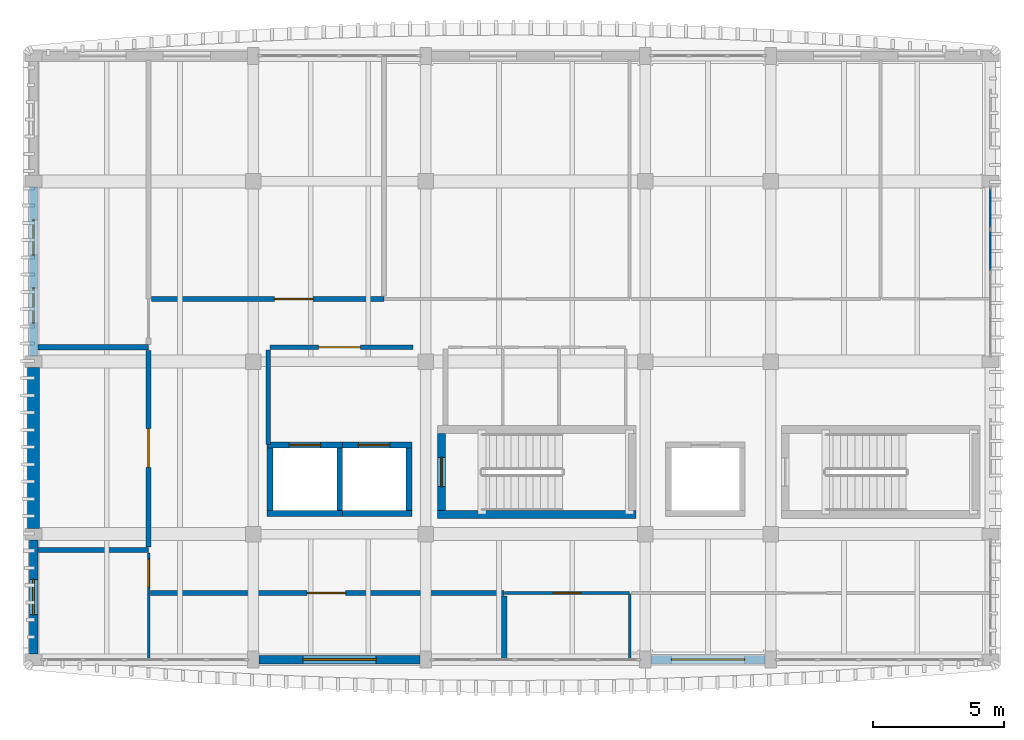
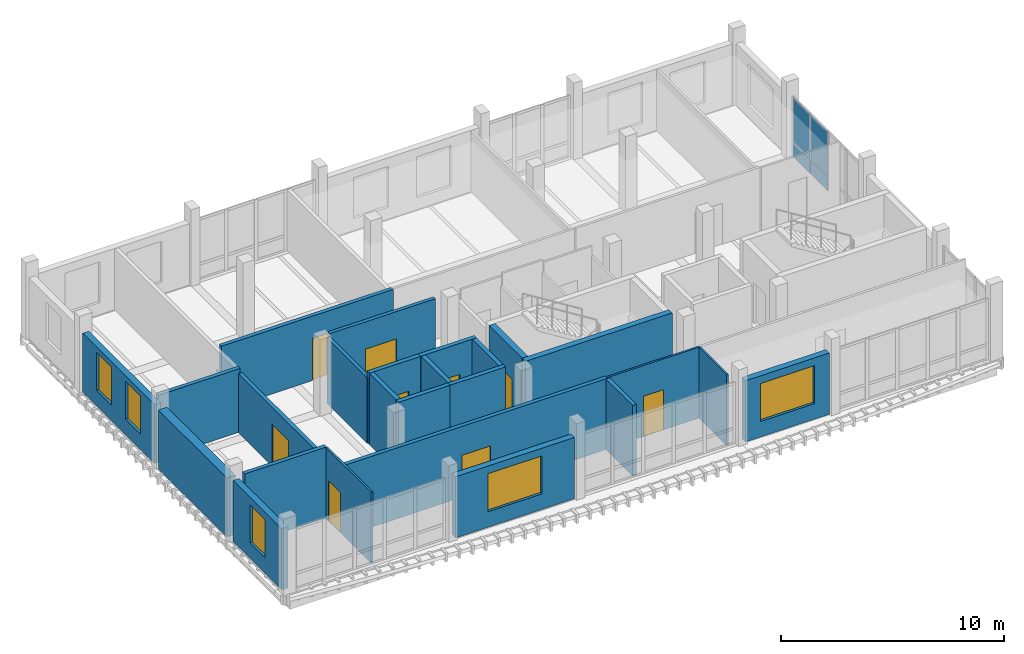
# One storey, part 7 of 16: 25 walls, 9 doors, 5 windows, 4 plates, 14 openings, 1 element without a shape of its own.
"""IFC4 building model written with IfcOpenShell, lengths in metres."""

from ifc_helpers import new_model, si_unit, direction, frame, frame_2d, origin, origin_2d, place, context, subcontext, project, spatial, rectangle, extrude, material, layer, layer_set, type_object, element, fill, aggregate, save


model = new_model("IFC4")

# Units and contexts
model_context = context("Model", 3, precision=1e-05, world=origin(), true_north=direction((0.0, 1.0)))
body_context = subcontext(model_context, "Body", "Model", "MODEL_VIEW")
ifc_project = project(units=[si_unit("LENGTHUNIT", "METRE"), si_unit("AREAUNIT", "SQUARE_METRE"), si_unit("VOLUMEUNIT", "CUBIC_METRE"), si_unit("PLANEANGLEUNIT", "RADIAN"), si_unit("MASSUNIT", "GRAM", prefix="KILO")], contexts=[model_context])

# Site, building, storey
site_placement = place(None, origin())
site = spatial("IfcSite", under=ifc_project, at=site_placement, CompositionType="ELEMENT")
building_placement = place(site_placement, origin())
building = spatial("IfcBuilding", under=site, at=building_placement, Name="Dornvale Research Institute", CompositionType="ELEMENT")
storey_placement = place(building_placement, frame((0.0, 0.0, 42.60009765625)))
storey = spatial("IfcBuildingStorey", under=building, at=storey_placement, Name="L09", CompositionType="ELEMENT", Elevation=42.60009765625)

# Curtain wall, plates
ifc_material_1 = material(Name="Low-E Argon Double Insulating Glazing Unit", Category="glass")
curtain_wall_type = type_object("IfcCurtainWallType", Name="UnitisedCurtainWall_V5_6450x3350", PredefinedType="USERDEFINED", material=ifc_material_1)
curtain_wall_placement = place(storey_placement, origin())
curtain_wall = element("IfcCurtainWall", 1, at=curtain_wall_placement, inside=storey, type_object=curtain_wall_type, Name="L09 V5 unitised curtain wall CW-36 #197", ObjectType="UNITISED CURTAIN WALL", PredefinedType="USERDEFINED")
ifc_material_2 = material(Name="Insulated Ceramic-Frit Spandrel Glass Panel", Category="glass")
ifc_layer_1 = layer(ifc_material_2, 0.0419921875)
ifc_layer_set_1 = layer_set([ifc_layer_1], Name="Insulated Ceramic-Frit Spandrel Glass Panel")
plate_type_1 = type_object("IfcPlateType", Name="CurtainPanel_Spandrel_42", PredefinedType="CURTAIN_PANEL", material=ifc_layer_set_1)
plate_1_placement = place(storey_placement, frame((41.39990234375, 116.25244140625, 0.06494140625), z_axis=(0.0, 0.0, 1.0), x_axis=(0.0, -1.0, 0.0)))
plate_1 = element("IfcPlate", 2, at=plate_1_placement, type_object=plate_type_1, Name="CW-36 panel 1.1", PredefinedType="CURTAIN_PANEL", context=body_context, shape_type="SweptSolid", body=[
    extrude(rectangle(XDim=1.514892578125, YDim=0.0419921875, at=origin_2d()), origin(), (0.0, 0.0, 1.0), 0.75244140625),
])
plate_2_placement = place(storey_placement, frame((41.39990234375, 114.65625, 0.06494140625), z_axis=(0.0, 0.0, 1.0), x_axis=(0.0, -1.0, 0.0)))
plate_2 = element("IfcPlate", 3, at=plate_2_placement, type_object=plate_type_1, Name="CW-36 panel 2.1", PredefinedType="CURTAIN_PANEL", context=body_context, shape_type="SweptSolid", body=[
    extrude(rectangle(XDim=1.547607421875, YDim=0.0419921875, at=origin_2d()), origin(), (0.0, 0.0, 1.0), 0.75244140625),
])
ifc_material_3 = material(Name="Low-E Argon Double Insulating Glazing Unit", Category="glass")
ifc_layer_2 = layer(ifc_material_3, 0.028076171875)
ifc_layer_set_2 = layer_set([ifc_layer_2], Name="Low-E Argon Double Insulating Glazing Unit")
plate_type_2 = type_object("IfcPlateType", Name="CurtainPanel_Vision_28", PredefinedType="CURTAIN_PANEL", material=ifc_layer_set_2)
plate_3_placement = place(storey_placement, frame((41.39990234375, 116.25244140625, 0.88232421875), z_axis=(0.0, 0.0, 1.0), x_axis=(0.0, -1.0, 0.0)))
plate_3 = element("IfcPlate", 4, at=plate_3_placement, type_object=plate_type_2, Name="CW-36 panel 1.2", PredefinedType="CURTAIN_PANEL", context=body_context, shape_type="SweptSolid", body=[
    extrude(rectangle(XDim=1.514892578125, YDim=0.028076171875, at=origin_2d()), origin(), (0.0, 0.0, 1.0), 2.402587890625),
])
plate_4_placement = place(storey_placement, frame((41.39990234375, 114.65625, 0.88232421875), z_axis=(0.0, 0.0, 1.0), x_axis=(0.0, -1.0, 0.0)))
plate_4 = element("IfcPlate", 5, at=plate_4_placement, type_object=plate_type_2, Name="CW-36 panel 2.2", PredefinedType="CURTAIN_PANEL", context=body_context, shape_type="SweptSolid", body=[
    extrude(rectangle(XDim=1.547607421875, YDim=0.028076171875, at=origin_2d()), origin(), (0.0, 0.0, 1.0), 2.402587890625),
])
aggregate(curtain_wall, [plate_1, plate_3, plate_2, plate_4])

# Wall, opening, door
ifc_material_4 = material(Name="Fire-Rated Gypsum Board on Cold-Formed Steel Studs", Category="steel")
ifc_layer_3 = layer(ifc_material_4, 0.179931640625)
ifc_layer_set_3 = layer_set([ifc_layer_3], Name="Fire-Rated Gypsum Board on Cold-Formed Steel Studs")
wall_type_1 = type_object("IfcWallType", Name="Partition_FireLobby_180", PredefinedType="PARTITIONING", material=ifc_layer_set_3)
wall_1_placement = place(storey_placement, frame((13.85009765625, 110.949951171875, 0.0), z_axis=(0.0, 0.0, 1.0), x_axis=(1.0, 0.0, 0.0)))
wall_1 = element("IfcWall", 6, at=wall_1_placement, inside=storey, type_object=wall_type_1, Name="L09 Fire Service Access Elevator Lobby north rated partition", PredefinedType="PARTITIONING", context=body_context, shape_type="SweptSolid", body=[
    extrude(rectangle(XDim=5.469970703125, YDim=0.179931640625, at=frame_2d((2.73486328125, 0.0))), origin(), (0.0, 0.0, 1.0), 3.744873046875),
])
opening_1_placement = place(wall_1_placement, frame((1.85009765625, 0.0, 0.0)))
opening_1 = element("IfcOpeningElement", 7, at=opening_1_placement, cuts=wall_1, Name="Opening FD-01", PredefinedType="OPENING", context=body_context, shape_type="SweptSolid", body=[
    extrude(rectangle(XDim=1.60009765625, YDim=2.25, at=frame_2d((0.800048828125, 1.125))), frame((0.0, 0.10498046875, 0.0), z_axis=(0.0, -1.0, 0.0), x_axis=(1.0, 0.0, 0.0)), (0.0, 0.0, 1.0), 0.2099609375),
])
ifc_material_5 = material(Name="Insulated Fire-Rated Hollow Metal Door Assembly")
door_type_1 = type_object("IfcDoorType", Name="Door_FireLobby_1600x2250", OperationType="SINGLE_SWING_LEFT", PredefinedType="DOOR", material=ifc_material_5)
door_1_placement = place(opening_1_placement, origin())
door_1 = element("IfcDoor", 8, at=door_1_placement, inside=storey, type_object=door_type_1, Name="L09 Fire Service Access Elevator Lobby door", OperationType="DOUBLE_DOOR_SINGLE_SWING", OverallHeight=2.25, OverallWidth=1.60009765625, PredefinedType="DOOR", context=body_context, shape_type="SweptSolid", body=[
    extrude(rectangle(XDim=1.60009765625, YDim=2.25, at=frame_2d((0.800048828125, 1.125))), frame((0.0, 0.02490234375, 0.0), z_axis=(0.0, -1.0, 0.0), x_axis=(1.0, 0.0, 0.0)), (0.0, 0.0, 1.0), 0.050048828125),
])
fill(opening_1, door_1)

# Walls
wall_2_placement = place(storey_placement, frame((13.780029296875, 107.22998046875, 0.0), z_axis=(0.0, 0.0, 1.0), x_axis=(0.0, 1.0, 0.0)))
element("IfcWall", 9, at=wall_2_placement, inside=storey, type_object=wall_type_1, Name="L09 Fire Service Access Elevator Lobby west rated partition", PredefinedType="PARTITIONING", context=body_context, shape_type="SweptSolid", body=[
    extrude(rectangle(XDim=3.610107421875, YDim=0.179931640625, at=frame_2d((1.80517578125, 0.0))), origin(), (0.0, 0.0, 1.0), 3.579833984375),
])
ifc_material_6 = material(Name="Fire-Rated Gypsum Board on Cold-Formed Steel Studs", Category="steel")
ifc_layer_4 = layer(ifc_material_6, 0.199951171875)
ifc_layer_set_4 = layer_set([ifc_layer_4], Name="Fire-Rated Gypsum Board on Cold-Formed Steel Studs")
wall_type_2 = type_object("IfcWallType", Name="Partition_FireWall_200", PredefinedType="PARTITIONING", material=ifc_layer_set_4)
wall_3_placement = place(storey_placement, frame((4.97509765625, 103.199951171875, 0.0), z_axis=(0.0, 0.0, 1.0), x_axis=(1.0, 0.0, 0.0)))
element("IfcWall", 10, at=wall_3_placement, inside=storey, type_object=wall_type_2, Name="L09 V5 interior partition #588", PredefinedType="PARTITIONING", context=body_context, shape_type="SweptSolid", body=[
    extrude(rectangle(XDim=4.224853515625, YDim=0.199951171875, at=frame_2d((2.1123046875, 0.0))), origin(), (0.0, 0.0, 1.0), 3.8798828125),
])
wall_4_placement = place(storey_placement, frame((4.97509765625, 110.949951171875, 0.0), z_axis=(0.0, 0.0, 1.0), x_axis=(1.0, 0.0, 0.0)))
element("IfcWall", 11, at=wall_4_placement, inside=storey, type_object=wall_type_2, Name="L09 V5 interior partition #589", PredefinedType="PARTITIONING", context=body_context, shape_type="SweptSolid", body=[
    extrude(rectangle(XDim=4.224853515625, YDim=0.199951171875, at=frame_2d((2.1123046875, 0.0))), origin(), (0.0, 0.0, 1.0), 3.47998046875),
])

# Wall, opening, door
wall_5_placement = place(storey_placement, frame((9.199951171875, 103.31494140625, 0.0), z_axis=(0.0, 0.0, 1.0), x_axis=(0.0, 1.0, 0.0)))
wall_5 = element("IfcWall", 12, at=wall_5_placement, inside=storey, type_object=wall_type_2, Name="L09 V5 interior partition #590", PredefinedType="PARTITIONING", context=body_context, shape_type="SweptSolid", body=[
    extrude(rectangle(XDim=7.52001953125, YDim=0.199951171875, at=frame_2d((3.760009765625, 0.0))), origin(), (0.0, 0.0, 1.0), 3.22998046875),
])
opening_2_placement = place(wall_5_placement, frame((3.044921875, 0.0, 0.0)))
opening_2 = element("IfcOpeningElement", 13, at=opening_2_placement, cuts=wall_5, Name="Opening ID-13", PredefinedType="OPENING", context=body_context, shape_type="SweptSolid", body=[
    extrude(rectangle(XDim=1.47998046875, YDim=2.300048828125, at=frame_2d((0.739990234375, 1.14990234375))), frame((0.0, 0.114990234375, 0.0), z_axis=(0.0, -1.0, 0.0), x_axis=(1.0, 0.0, 0.0)), (0.0, 0.0, 1.0), 0.22998046875),
])
ifc_material_7 = material(Name="Insulated Fire-Rated Hollow Metal Door Assembly")
door_type_2 = type_object("IfcDoorType", Name="Door_Archive_1480x2300", OperationType="SINGLE_SWING_LEFT", PredefinedType="DOOR", material=ifc_material_7)
door_2_placement = place(opening_2_placement, origin())
door_2 = element("IfcDoor", 14, at=door_2_placement, inside=storey, type_object=door_type_2, Name="L09 Rare Manuscript Vault L09 door #249", OperationType="SINGLE_SWING_RIGHT", OverallHeight=2.300048828125, OverallWidth=1.47998046875, PredefinedType="DOOR", context=body_context, shape_type="SweptSolid", body=[
    extrude(rectangle(XDim=1.47998046875, YDim=2.300048828125, at=frame_2d((0.739990234375, 1.14990234375))), frame((0.0, 0.02490234375, 0.0), z_axis=(0.0, -1.0, 0.0), x_axis=(1.0, 0.0, 0.0)), (0.0, 0.0, 1.0), 0.050048828125),
])
fill(opening_2, door_2)

wall_6_placement = place(storey_placement, frame((9.31494140625, 112.800048828125, 0.0), z_axis=(0.0, 0.0, 1.0), x_axis=(1.0, 0.0, 0.0)))
wall_6 = element("IfcWall", 15, at=wall_6_placement, inside=storey, type_object=wall_type_2, Name="L09 V5 interior partition #592", PredefinedType="PARTITIONING", context=body_context, shape_type="SweptSolid", body=[
    extrude(rectangle(XDim=8.885009765625, YDim=0.199951171875, at=frame_2d((4.4423828125, 0.0))), origin(), (0.0, 0.0, 1.0), 3.52978515625),
])
opening_3_placement = place(wall_6_placement, frame((4.695068359375, 0.0, 0.0)))
opening_3 = element("IfcOpeningElement", 16, at=opening_3_placement, cuts=wall_6, Name="Opening ID-13", PredefinedType="OPENING", context=body_context, shape_type="SweptSolid", body=[
    extrude(rectangle(XDim=1.47998046875, YDim=2.300048828125, at=frame_2d((0.739990234375, 1.14990234375))), frame((0.0, 0.114990234375, 0.0), z_axis=(0.0, -1.0, 0.0), x_axis=(1.0, 0.0, 0.0)), (0.0, 0.0, 1.0), 0.22998046875),
])
door_3_placement = place(opening_3_placement, origin())
door_3 = element("IfcDoor", 17, at=door_3_placement, inside=storey, type_object=door_type_2, Name="L09 Scientific Archive Stack Room door #251", OperationType="SINGLE_SWING_RIGHT", OverallHeight=2.300048828125, OverallWidth=1.47998046875, PredefinedType="DOOR", context=body_context, shape_type="SweptSolid", body=[
    extrude(rectangle(XDim=1.47998046875, YDim=2.300048828125, at=frame_2d((0.739990234375, 1.14990234375))), frame((0.0, 0.02490234375, 0.0), z_axis=(0.0, -1.0, 0.0), x_axis=(1.0, 0.0, 0.0)), (0.0, 0.0, 1.0), 0.050048828125),
])
fill(opening_3, door_3)

wall_7_placement = place(storey_placement, frame((9.264892578125, 101.550048828125, 0.0), z_axis=(0.0, 0.0, 1.0), x_axis=(1.0, 0.0, 0.0)))
wall_7 = element("IfcWall", 18, at=wall_7_placement, inside=storey, type_object=wall_type_2, Name="L09 V5 interior partition #600", PredefinedType="PARTITIONING", context=body_context, shape_type="SweptSolid", body=[
    extrude(rectangle(XDim=13.53515625, YDim=0.199951171875, at=frame_2d((6.767578125, 0.0))), origin(), (0.0, 0.0, 1.0), 3.8798828125),
])
opening_4_placement = place(wall_7_placement, frame((5.9951171875, 0.0, 0.0)))
opening_4 = element("IfcOpeningElement", 19, at=opening_4_placement, cuts=wall_7, Name="Opening ID-13", PredefinedType="OPENING", context=body_context, shape_type="SweptSolid", body=[
    extrude(rectangle(XDim=1.47998046875, YDim=2.300048828125, at=frame_2d((0.739990234375, 1.14990234375))), frame((0.0, 0.114990234375, 0.0), z_axis=(0.0, -1.0, 0.0), x_axis=(1.0, 0.0, 0.0)), (0.0, 0.0, 1.0), 0.22998046875),
])
door_4_placement = place(opening_4_placement, origin())
door_4 = element("IfcDoor", 20, at=door_4_placement, inside=storey, type_object=door_type_2, Name="L09 Rare Scientific Periodicals Stack Room door #256", OperationType="SINGLE_SWING_LEFT", OverallHeight=2.300048828125, OverallWidth=1.47998046875, PredefinedType="DOOR", context=body_context, shape_type="SweptSolid", body=[
    extrude(rectangle(XDim=1.47998046875, YDim=2.300048828125, at=frame_2d((0.739990234375, 1.14990234375))), frame((0.0, 0.02490234375, 0.0), z_axis=(0.0, -1.0, 0.0), x_axis=(1.0, 0.0, 0.0)), (0.0, 0.0, 1.0), 0.050048828125),
])
fill(opening_4, door_4)

# Wall
wall_8_placement = place(storey_placement, frame((22.800048828125, 99.0400390625, 0.0), z_axis=(0.0, 0.0, 1.0), x_axis=(0.0, 1.0, 0.0)))
element("IfcWall", 21, at=wall_8_placement, inside=storey, type_object=wall_type_2, Name="L09 V5 interior partition #601", PredefinedType="PARTITIONING", context=body_context, shape_type="SweptSolid", body=[
    extrude(rectangle(XDim=2.39501953125, YDim=0.199951171875, at=frame_2d((1.197509765625, 0.0))), origin(), (0.0, 0.0, 1.0), 3.8798828125),
])

# Wall, opening, door
ifc_material_8 = material(Name="Acoustic Insulated Double-Stud Laboratory Partition")
ifc_layer_5 = layer(ifc_material_8, 0.10009765625)
ifc_layer_set_5 = layer_set([ifc_layer_5], Name="Acoustic Insulated Double-Stud Laboratory Partition")
wall_type_3 = type_object("IfcWallType", Name="Partition_Office_100", PredefinedType="PARTITIONING", material=ifc_layer_set_5)
wall_9_placement = place(storey_placement, frame((9.199951171875, 99.0400390625, 0.0), z_axis=(0.0, 0.0, 1.0), x_axis=(0.0, 1.0, 0.0)))
wall_9 = element("IfcWall", 22, at=wall_9_placement, inside=storey, type_object=wall_type_3, Name="L09 V5 interior partition #599", PredefinedType="PARTITIONING", context=body_context, shape_type="SweptSolid", body=[
    extrude(rectangle(XDim=4.044921875, YDim=0.10009765625, at=frame_2d((2.0224609375, 0.0))), origin(), (0.0, 0.0, 1.0), 3.8798828125),
])
opening_5_placement = place(wall_9_placement, frame((2.735107421875, 0.0, 0.0)))
opening_5 = element("IfcOpeningElement", 23, at=opening_5_placement, cuts=wall_9, Name="Opening ID-19", PredefinedType="OPENING", context=body_context, shape_type="SweptSolid", body=[
    extrude(rectangle(XDim=1.06005859375, YDim=2.199951171875, at=frame_2d((0.530029296875, 1.10009765625))), frame((0.0, 0.06494140625, 0.0), z_axis=(0.0, -1.0, 0.0), x_axis=(1.0, 0.0, 0.0)), (0.0, 0.0, 1.0), 0.130126953125),
])
ifc_material_9 = material(Name="Phenolic-Faced Solid-Core Laboratory Door Assembly")
door_type_3 = type_object("IfcDoorType", Name="Door_WriteUp_1060x2200", OperationType="SINGLE_SWING_LEFT", PredefinedType="DOOR", material=ifc_material_9)
door_5_placement = place(opening_5_placement, origin())
door_5 = element("IfcDoor", 24, at=door_5_placement, inside=storey, type_object=door_type_3, Name="L09 Research Instrument Study L09 door #255", OperationType="SINGLE_SWING_RIGHT", OverallHeight=2.199951171875, OverallWidth=1.06005859375, PredefinedType="DOOR", context=body_context, shape_type="SweptSolid", body=[
    extrude(rectangle(XDim=1.06005859375, YDim=2.199951171875, at=frame_2d((0.530029296875, 1.10009765625))), frame((0.0, 0.02490234375, 0.0), z_axis=(0.0, -1.0, 0.0), x_axis=(1.0, 0.0, 0.0)), (0.0, 0.0, 1.0), 0.050048828125),
])
fill(opening_5, door_5)

wall_10_placement = place(storey_placement, frame((22.81494140625, 101.550048828125, 0.0), z_axis=(0.0, 0.0, 1.0), x_axis=(1.0, 0.0, 0.0)))
wall_10 = element("IfcWall", 25, at=wall_10_placement, inside=storey, type_object=wall_type_3, Name="L09 V5 interior partition #602", PredefinedType="PARTITIONING", context=body_context, shape_type="SweptSolid", body=[
    extrude(rectangle(XDim=4.78515625, YDim=0.10009765625, at=frame_2d((2.392578125, 0.0))), origin(), (0.0, 0.0, 1.0), 3.8798828125),
])
opening_6_placement = place(wall_10_placement, frame((1.85498046875, 0.0, 0.0)))
opening_6 = element("IfcOpeningElement", 26, at=opening_6_placement, cuts=wall_10, Name="Opening ID-19", PredefinedType="OPENING", context=body_context, shape_type="SweptSolid", body=[
    extrude(rectangle(XDim=1.06005859375, YDim=2.199951171875, at=frame_2d((0.530029296875, 1.10009765625))), frame((0.0, 0.06494140625, 0.0), z_axis=(0.0, -1.0, 0.0), x_axis=(1.0, 0.0, 0.0)), (0.0, 0.0, 1.0), 0.130126953125),
])
door_6_placement = place(opening_6_placement, origin())
door_6 = element("IfcDoor", 27, at=door_6_placement, inside=storey, type_object=door_type_3, Name="L09 Digital Cataloguing Write-Up Studio door #257", OperationType="SINGLE_SWING_RIGHT", OverallHeight=2.199951171875, OverallWidth=1.06005859375, PredefinedType="DOOR", context=body_context, shape_type="SweptSolid", body=[
    extrude(rectangle(XDim=1.06005859375, YDim=2.199951171875, at=frame_2d((0.530029296875, 1.10009765625))), frame((0.0, 0.02490234375, 0.0), z_axis=(0.0, -1.0, 0.0), x_axis=(1.0, 0.0, 0.0)), (0.0, 0.0, 1.0), 0.050048828125),
])
fill(opening_6, door_6)

# Walls
wall_11_placement = place(storey_placement, frame((27.60009765625, 99.0400390625, 0.0), z_axis=(0.0, 0.0, 1.0), x_axis=(0.0, 1.0, 0.0)))
element("IfcWall", 28, at=wall_11_placement, inside=storey, type_object=wall_type_3, Name="L09 V5 interior partition #603", PredefinedType="PARTITIONING", context=body_context, shape_type="SweptSolid", body=[
    extrude(rectangle(XDim=2.445068359375, YDim=0.10009765625, at=frame_2d((1.22265625, 0.0))), origin(), (0.0, 0.0, 1.0), 3.8798828125),
])
ifc_material_10 = material(Name="Concrete f'c 50 MPa (C40/50)", Category="concrete")
ifc_layer_6 = layer(ifc_material_10, 0.300048828125)
ifc_layer_set_6 = layer_set([ifc_layer_6], Name="Concrete f'c 50 MPa (C40/50)")
wall_type_4 = type_object("IfcWallType", Name="ShearWall_Core_300", PredefinedType="SHEAR", material=ifc_layer_set_6)
wall_12_placement = place(storey_placement, frame((20.25, 104.550048828125, 0.0), z_axis=(0.0, 0.0, 1.0), x_axis=(1.0, 0.0, 0.0)))
element("IfcWall", 29, at=wall_12_placement, inside=storey, type_object=wall_type_4, Name="L09 ST-1 shaft shear wall south", PredefinedType="SHEAR", context=body_context, shape_type="SweptSolid", body=[
    extrude(rectangle(XDim=7.60009765625, YDim=0.300048828125, at=frame_2d((3.800048828125, 0.0))), origin(), (0.0, 0.0, 1.0), 3.89990234375),
])

# Wall, opening, door
wall_13_placement = place(storey_placement, frame((20.39990234375, 104.699951171875, 0.0), z_axis=(0.0, 0.0, 1.0), x_axis=(0.0, 1.0, 0.0)))
wall_13 = element("IfcWall", 30, at=wall_13_placement, inside=storey, type_object=wall_type_4, Name="L09 ST-1 shaft shear wall west", PredefinedType="SHEAR", context=body_context, shape_type="SweptSolid", body=[
    extrude(rectangle(XDim=2.9599609375, YDim=0.300048828125, at=frame_2d((1.47998046875, 0.0))), origin(), (0.0, 0.0, 1.0), 3.89990234375),
])
opening_7_placement = place(wall_13_placement, frame((0.919921875, 0.0, 0.0)))
opening_7 = element("IfcOpeningElement", 31, at=opening_7_placement, cuts=wall_13, Name="Opening SD-01", PredefinedType="OPENING", context=body_context, shape_type="SweptSolid", body=[
    extrude(rectangle(XDim=1.1201171875, YDim=2.199951171875, at=frame_2d((0.56005859375, 1.10009765625))), frame((0.0, 0.1650390625, 0.0), z_axis=(0.0, -1.0, 0.0), x_axis=(1.0, 0.0, 0.0)), (0.0, 0.0, 1.0), 0.330078125),
])
ifc_material_11 = material(Name="Insulated Fire-Rated Hollow Metal Door Assembly")
door_type_4 = type_object("IfcDoorType", Name="Door_Stair_1120x2200", OperationType="SINGLE_SWING_LEFT", PredefinedType="DOOR", material=ifc_material_11)
door_7_placement = place(opening_7_placement, origin())
door_7 = element("IfcDoor", 32, at=door_7_placement, inside=storey, type_object=door_type_4, Name="L09 ST-1 exit stair door #11", OperationType="SINGLE_SWING_LEFT", OverallHeight=2.199951171875, OverallWidth=1.1201171875, PredefinedType="DOOR", context=body_context, shape_type="SweptSolid", body=[
    extrude(rectangle(XDim=1.1201171875, YDim=2.199951171875, at=frame_2d((0.56005859375, 1.10009765625))), frame((0.0, 0.02490234375, 0.0), z_axis=(0.0, -1.0, 0.0), x_axis=(1.0, 0.0, 0.0)), (0.0, 0.0, 1.0), 0.050048828125),
])
fill(opening_7, door_7)

# Wall
ifc_material_12 = material(Name="Concrete f'c 45 MPa (C35/45)", Category="concrete")
ifc_layer_7 = layer(ifc_material_12, 0.219970703125)
ifc_layer_set_7 = layer_set([ifc_layer_7], Name="Concrete f'c 45 MPa (C35/45)")
wall_type_5 = type_object("IfcWallType", Name="ShearWall_Shaft_220", PredefinedType="SHEAR", material=ifc_layer_set_7)
wall_14_placement = place(storey_placement, frame((13.72998046875, 104.590087890625, 0.0), z_axis=(0.0, 0.0, 1.0), x_axis=(1.0, 0.0, 0.0)))
element("IfcWall", 33, at=wall_14_placement, inside=storey, type_object=wall_type_5, Name="L09 FS1 elevator shaft wall south", PredefinedType="SHEAR", context=body_context, shape_type="SweptSolid", body=[
    extrude(rectangle(XDim=2.89013671875, YDim=0.219970703125, at=frame_2d((1.445068359375, 0.0))), origin(), (0.0, 0.0, 1.0), 3.89990234375),
])

# Wall, opening, door
wall_15_placement = place(storey_placement, frame((13.72998046875, 107.2099609375, 0.0), z_axis=(0.0, 0.0, 1.0), x_axis=(1.0, 0.0, 0.0)))
wall_15 = element("IfcWall", 34, at=wall_15_placement, inside=storey, type_object=wall_type_5, Name="L09 FS1 elevator shaft wall north", PredefinedType="SHEAR", context=body_context, shape_type="SweptSolid", body=[
    extrude(rectangle(XDim=2.89013671875, YDim=0.219970703125, at=frame_2d((1.445068359375, 0.0))), origin(), (0.0, 0.0, 1.0), 3.89990234375),
])
opening_8_placement = place(wall_15_placement, frame((0.844970703125, 0.0, 0.0)))
opening_8 = element("IfcOpeningElement", 35, at=opening_8_placement, cuts=wall_15, Name="Opening LD-01", PredefinedType="OPENING", context=body_context, shape_type="SweptSolid", body=[
    extrude(rectangle(XDim=1.199951171875, YDim=2.199951171875, at=frame_2d((0.60009765625, 1.10009765625))), frame((0.0, 0.125, 0.0), z_axis=(0.0, -1.0, 0.0), x_axis=(1.0, 0.0, 0.0)), (0.0, 0.0, 1.0), 0.25),
])
ifc_material_13 = material(Name="Brushed Stainless Steel Sliding Elevator Landing Door", Category="steel")
door_type_5 = type_object("IfcDoorType", Name="Door_LiftLanding_FSAE_1200x2200", OperationType="SINGLE_SWING_LEFT", PredefinedType="DOOR", material=ifc_material_13)
door_8_placement = place(opening_8_placement, origin())
door_8 = element("IfcDoor", 36, at=door_8_placement, inside=storey, type_object=door_type_5, Name="L09 FS1 sliding elevator landing door #11", OperationType="DOUBLE_DOOR_SLIDING", OverallHeight=2.199951171875, OverallWidth=1.199951171875, PredefinedType="DOOR", context=body_context, shape_type="SweptSolid", body=[
    extrude(rectangle(XDim=1.199951171875, YDim=2.199951171875, at=frame_2d((0.60009765625, 1.10009765625))), frame((0.0, 0.02490234375, 0.0), z_axis=(0.0, -1.0, 0.0), x_axis=(1.0, 0.0, 0.0)), (0.0, 0.0, 1.0), 0.050048828125),
])
fill(opening_8, door_8)

# Walls
for number, where, z_axis, x_axis, name in (
    (37, (13.840087890625, 104.699951171875, 0.0), (0.0, 0.0, 1.0), (0.0, 1.0, 0.0), "L09 FS1 elevator shaft wall west"),
    (38, (16.510009765625, 104.699951171875, 0.0), (0.0, 0.0, 1.0), (0.0, 1.0, 0.0), "L09 FS1 elevator shaft wall east"),
):
    element("IfcWall", number, at=place(storey_placement, frame(where, z_axis=z_axis, x_axis=x_axis)), inside=storey, type_object=wall_type_5, Name=name, PredefinedType="SHEAR", context=body_context, shape_type="SweptSolid", body=[
        extrude(rectangle(XDim=2.400146484375, YDim=0.219970703125, at=frame_2d((1.2001953125, 0.0))), origin(), (0.0, 0.0, 1.0), 3.89990234375),
    ])
wall_16_placement = place(storey_placement, frame((16.3798828125, 104.590087890625, 0.0), z_axis=(0.0, 0.0, 1.0), x_axis=(1.0, 0.0, 0.0)))
element("IfcWall", 39, at=wall_16_placement, inside=storey, type_object=wall_type_5, Name="L09 FS2 elevator shaft wall south", PredefinedType="SHEAR", context=body_context, shape_type="SweptSolid", body=[
    extrude(rectangle(XDim=2.89013671875, YDim=0.219970703125, at=frame_2d((1.445068359375, 0.0))), origin(), (0.0, 0.0, 1.0), 3.89990234375),
])

# Wall, opening, door
wall_17_placement = place(storey_placement, frame((16.3798828125, 107.2099609375, 0.0), z_axis=(0.0, 0.0, 1.0), x_axis=(1.0, 0.0, 0.0)))
wall_17 = element("IfcWall", 40, at=wall_17_placement, inside=storey, type_object=wall_type_5, Name="L09 FS2 elevator shaft wall north", PredefinedType="SHEAR", context=body_context, shape_type="SweptSolid", body=[
    extrude(rectangle(XDim=2.89013671875, YDim=0.219970703125, at=frame_2d((1.445068359375, 0.0))), origin(), (0.0, 0.0, 1.0), 3.89990234375),
])
opening_9_placement = place(wall_17_placement, frame((0.844970703125, 0.0, 0.0)))
opening_9 = element("IfcOpeningElement", 41, at=opening_9_placement, cuts=wall_17, Name="Opening LD-01", PredefinedType="OPENING", context=body_context, shape_type="SweptSolid", body=[
    extrude(rectangle(XDim=1.199951171875, YDim=2.199951171875, at=frame_2d((0.60009765625, 1.10009765625))), frame((0.0, 0.125, 0.0), z_axis=(0.0, -1.0, 0.0), x_axis=(1.0, 0.0, 0.0)), (0.0, 0.0, 1.0), 0.25),
])
door_9_placement = place(opening_9_placement, origin())
door_9 = element("IfcDoor", 42, at=door_9_placement, inside=storey, type_object=door_type_5, Name="L09 FS2 sliding elevator landing door #23", OperationType="DOUBLE_DOOR_SLIDING", OverallHeight=2.199951171875, OverallWidth=1.199951171875, PredefinedType="DOOR", context=body_context, shape_type="SweptSolid", body=[
    extrude(rectangle(XDim=1.199951171875, YDim=2.199951171875, at=frame_2d((0.60009765625, 1.10009765625))), frame((0.0, 0.02490234375, 0.0), z_axis=(0.0, -1.0, 0.0), x_axis=(1.0, 0.0, 0.0)), (0.0, 0.0, 1.0), 0.050048828125),
])
fill(opening_9, door_9)

# Walls
wall_18_placement = place(storey_placement, frame((19.159912109375, 104.699951171875, 0.0), z_axis=(0.0, 0.0, 1.0), x_axis=(0.0, 1.0, 0.0)))
element("IfcWall", 43, at=wall_18_placement, inside=storey, type_object=wall_type_5, Name="L09 FS2 elevator shaft wall east", PredefinedType="SHEAR", context=body_context, shape_type="SweptSolid", body=[
    extrude(rectangle(XDim=2.400146484375, YDim=0.219970703125, at=frame_2d((1.2001953125, 0.0))), origin(), (0.0, 0.0, 1.0), 3.89990234375),
])
ifc_material_14 = material(Name="Precast Concrete f'c 40 MPa (C32/40) and Glazed Terracotta Backup Wall", Category="masonry")
ifc_layer_8 = layer(ifc_material_14, 0.449951171875)
ifc_layer_set_8 = layer_set([ifc_layer_8], Name="Precast Concrete f'c 40 MPa (C32/40) and Glazed Terracotta Backup Wall")
wall_type_6 = type_object("IfcWallType", Name="SolidWall_ShearBraceBay_450", PredefinedType="SOLIDWALL", material=ifc_layer_set_8)
wall_19_placement = place(storey_placement, frame((4.800048828125, 104.02490234375, 0.0), z_axis=(0.0, 0.0, 1.0), x_axis=(0.0, 1.0, 0.0)))
element("IfcWall", 44, at=wall_19_placement, inside=storey, type_object=wall_type_6, Name="L09 V5 west exterior wall #404", PredefinedType="SOLIDWALL", context=body_context, shape_type="SweptSolid", body=[
    extrude(rectangle(XDim=6.150146484375, YDim=0.449951171875, at=frame_2d((3.0751953125, 0.0))), origin(), (0.0, 0.0, 1.0), 3.22998046875),
])

# Wall, opening, window
ifc_material_15 = material(Name="Catalan Pressed Brick and Insulated Cavity Assembly", Category="masonry")
ifc_layer_9 = layer(ifc_material_15, 0.320068359375)
ifc_layer_set_9 = layer_set([ifc_layer_9], Name="Catalan Pressed Brick and Insulated Cavity Assembly")
wall_type_7 = type_object("IfcWallType", Name="StandardWall_BrickCavity_320", PredefinedType="STANDARD", material=ifc_layer_set_9)
wall_20_placement = place(storey_placement, frame((4.800048828125, 99.22509765625, 0.0), z_axis=(0.0, 0.0, 1.0), x_axis=(0.0, 1.0, 0.0)))
wall_20 = element("IfcWall", 45, at=wall_20_placement, inside=storey, type_object=wall_type_7, Name="L09 V5 west exterior wall #403", PredefinedType="STANDARD", context=body_context, shape_type="SweptSolid", body=[
    extrude(rectangle(XDim=4.349853515625, YDim=0.320068359375, at=frame_2d((2.1748046875, 0.0))), origin(), (0.0, 0.0, 1.0), 3.349853515625),
])
opening_10_placement = place(wall_20_placement, frame((1.5, 0.0, 0.85009765625)))
opening_10 = element("IfcOpeningElement", 46, at=opening_10_placement, cuts=wall_20, Name="Opening W-38", PredefinedType="OPENING", context=body_context, shape_type="SweptSolid", body=[
    extrude(rectangle(XDim=1.35009765625, YDim=2.080078125, at=frame_2d((0.675048828125, 1.0400390625))), frame((0.0, 0.175048828125, 0.0), z_axis=(0.0, -1.0, 0.0), x_axis=(1.0, 0.0, 0.0)), (0.0, 0.0, 1.0), 0.35009765625),
])
ifc_material_16 = material(Name="Low-E Argon Double Insulating Glazing Unit", Category="glass")
window_type_1 = type_object("IfcWindowType", Name="Window_Alu_1350x2080_38", PartitioningType="SINGLE_PANEL", PredefinedType="WINDOW", material=ifc_material_16)
window_1_placement = place(opening_10_placement, origin())
window_1 = element("IfcWindow", 47, at=window_1_placement, inside=storey, type_object=window_type_1, Name="L09 V5 facade window W-38 #538", OverallHeight=2.080078125, OverallWidth=1.35009765625, PartitioningType="SINGLE_PANEL", PredefinedType="WINDOW", context=body_context, shape_type="SweptSolid", body=[
    extrude(rectangle(XDim=1.35009765625, YDim=2.080078125, at=frame_2d((0.675048828125, 1.0400390625))), frame((0.0, 0.030029296875, 0.0), z_axis=(0.0, -1.0, 0.0), x_axis=(1.0, 0.0, 0.0)), (0.0, 0.0, 1.0), 0.06005859375),
])
fill(opening_10, window_1)

# Wall, openings, windows
wall_21_placement = place(storey_placement, frame((4.800048828125, 110.625, 0.0), z_axis=(0.0, 0.0, 1.0), x_axis=(0.0, 1.0, 0.0)))
wall_21 = element("IfcWall", 48, at=wall_21_placement, inside=storey, type_object=wall_type_7, Name="L09 V5 west exterior wall #405", PredefinedType="STANDARD", context=body_context, shape_type="SweptSolid", body=[
    extrude(rectangle(XDim=6.449951171875, YDim=0.320068359375, at=frame_2d((3.22509765625, 0.0))), origin(), (0.0, 0.0, 1.0), 3.22998046875),
])
opening_11_placement = place(wall_21_placement, frame((1.25, 0.0, 0.85009765625)))
opening_11 = element("IfcOpeningElement", 49, at=opening_11_placement, cuts=wall_21, Name="Opening W-38", PredefinedType="OPENING", context=body_context, shape_type="SweptSolid", body=[
    extrude(rectangle(XDim=1.35009765625, YDim=2.080078125, at=frame_2d((0.675048828125, 1.0400390625))), frame((0.0, 0.175048828125, 0.0), z_axis=(0.0, -1.0, 0.0), x_axis=(1.0, 0.0, 0.0)), (0.0, 0.0, 1.0), 0.35009765625),
])
opening_12_placement = place(wall_21_placement, frame((3.85009765625, 0.0, 0.85009765625)))
opening_12 = element("IfcOpeningElement", 50, at=opening_12_placement, cuts=wall_21, Name="Opening W-38", PredefinedType="OPENING", context=body_context, shape_type="SweptSolid", body=[
    extrude(rectangle(XDim=1.35009765625, YDim=2.080078125, at=frame_2d((0.675048828125, 1.0400390625))), frame((0.0, 0.175048828125, 0.0), z_axis=(0.0, -1.0, 0.0), x_axis=(1.0, 0.0, 0.0)), (0.0, 0.0, 1.0), 0.35009765625),
])
window_2_placement = place(opening_11_placement, origin())
window_2 = element("IfcWindow", 51, at=window_2_placement, inside=storey, type_object=window_type_1, Name="L09 V5 facade window W-38 #539", OverallHeight=2.080078125, OverallWidth=1.35009765625, PartitioningType="SINGLE_PANEL", PredefinedType="WINDOW", context=body_context, shape_type="SweptSolid", body=[
    extrude(rectangle(XDim=1.35009765625, YDim=2.080078125, at=frame_2d((0.675048828125, 1.0400390625))), frame((0.0, 0.030029296875, 0.0), z_axis=(0.0, -1.0, 0.0), x_axis=(1.0, 0.0, 0.0)), (0.0, 0.0, 1.0), 0.06005859375),
])
fill(opening_11, window_2)
window_3_placement = place(opening_12_placement, origin())
window_3 = element("IfcWindow", 52, at=window_3_placement, inside=storey, type_object=window_type_1, Name="L09 V5 facade window W-38 #540", OverallHeight=2.080078125, OverallWidth=1.35009765625, PartitioningType="SINGLE_PANEL", PredefinedType="WINDOW", context=body_context, shape_type="SweptSolid", body=[
    extrude(rectangle(XDim=1.35009765625, YDim=2.080078125, at=frame_2d((0.675048828125, 1.0400390625))), frame((0.0, 0.030029296875, 0.0), z_axis=(0.0, -1.0, 0.0), x_axis=(1.0, 0.0, 0.0)), (0.0, 0.0, 1.0), 0.06005859375),
])
fill(opening_12, window_3)

# Wall, opening, window
wall_22_placement = place(storey_placement, frame((32.77490234375, 99.0, 0.0), z_axis=(0.0, 0.0, 1.0), x_axis=(-1.0, 0.0, 0.0)))
wall_22 = element("IfcWall", 53, at=wall_22_placement, inside=storey, type_object=wall_type_7, Name="L09 V5 south exterior wall #412", PredefinedType="STANDARD", context=body_context, shape_type="SweptSolid", body=[
    extrude(rectangle(XDim=4.349853515625, YDim=0.320068359375, at=frame_2d((2.1748046875, 0.0))), origin(), (0.0, 0.0, 1.0), 3.349853515625),
])
opening_13_placement = place(wall_22_placement, frame((0.77490234375, 0.0, 0.85009765625)))
opening_13 = element("IfcOpeningElement", 54, at=opening_13_placement, cuts=wall_22, Name="Opening W-47", PredefinedType="OPENING", context=body_context, shape_type="SweptSolid", body=[
    extrude(rectangle(XDim=2.800048828125, YDim=2.080078125, at=frame_2d((1.39990234375, 1.0400390625))), frame((0.0, 0.175048828125, 0.0), z_axis=(0.0, -1.0, 0.0), x_axis=(1.0, 0.0, 0.0)), (0.0, 0.0, 1.0), 0.35009765625),
])
ifc_material_17 = material(Name="Low-E Argon Double Insulating Glazing Unit", Category="glass")
window_type_2 = type_object("IfcWindowType", Name="Window_Alu_2800x2080_47", PartitioningType="DOUBLE_PANEL_VERTICAL", PredefinedType="WINDOW", material=ifc_material_17)
window_4_placement = place(opening_13_placement, origin())
window_4 = element("IfcWindow", 55, at=window_4_placement, inside=storey, type_object=window_type_2, Name="L09 V5 facade window W-47 #550", OverallHeight=2.080078125, OverallWidth=2.800048828125, PartitioningType="DOUBLE_PANEL_VERTICAL", PredefinedType="WINDOW", context=body_context, shape_type="SweptSolid", body=[
    extrude(rectangle(XDim=2.800048828125, YDim=2.080078125, at=frame_2d((1.39990234375, 1.0400390625))), frame((0.0, 0.030029296875, 0.0), z_axis=(0.0, -1.0, 0.0), x_axis=(1.0, 0.0, 0.0)), (0.0, 0.0, 1.0), 0.06005859375),
])
fill(opening_13, window_4)

wall_23_placement = place(storey_placement, frame((19.574951171875, 99.0, 0.0), z_axis=(0.0, 0.0, 1.0), x_axis=(-1.0, 0.0, 0.0)))
wall_23 = element("IfcWall", 56, at=wall_23_placement, inside=storey, type_object=wall_type_7, Name="L09 V5 south exterior wall #413", PredefinedType="STANDARD", context=body_context, shape_type="SweptSolid", body=[
    extrude(rectangle(XDim=6.14990234375, YDim=0.320068359375, at=frame_2d((3.074951171875, 0.0))), origin(), (0.0, 0.0, 1.0), 3.349853515625),
])
opening_14_placement = place(wall_23_placement, frame((1.675048828125, 0.0, 0.85009765625)))
opening_14 = element("IfcOpeningElement", 57, at=opening_14_placement, cuts=wall_23, Name="Opening W-47", PredefinedType="OPENING", context=body_context, shape_type="SweptSolid", body=[
    extrude(rectangle(XDim=2.800048828125, YDim=2.080078125, at=frame_2d((1.39990234375, 1.0400390625))), frame((0.0, 0.175048828125, 0.0), z_axis=(0.0, -1.0, 0.0), x_axis=(1.0, 0.0, 0.0)), (0.0, 0.0, 1.0), 0.35009765625),
])
window_5_placement = place(opening_14_placement, origin())
window_5 = element("IfcWindow", 58, at=window_5_placement, inside=storey, type_object=window_type_2, Name="L09 V5 facade window W-47 #551", OverallHeight=2.080078125, OverallWidth=2.800048828125, PartitioningType="DOUBLE_PANEL_VERTICAL", PredefinedType="WINDOW", context=body_context, shape_type="SweptSolid", body=[
    extrude(rectangle(XDim=2.800048828125, YDim=2.080078125, at=frame_2d((1.39990234375, 1.0400390625))), frame((0.0, 0.030029296875, 0.0), z_axis=(0.0, -1.0, 0.0), x_axis=(1.0, 0.0, 0.0)), (0.0, 0.0, 1.0), 0.06005859375),
])
fill(opening_14, window_5)

save(model, "model.ifc")
